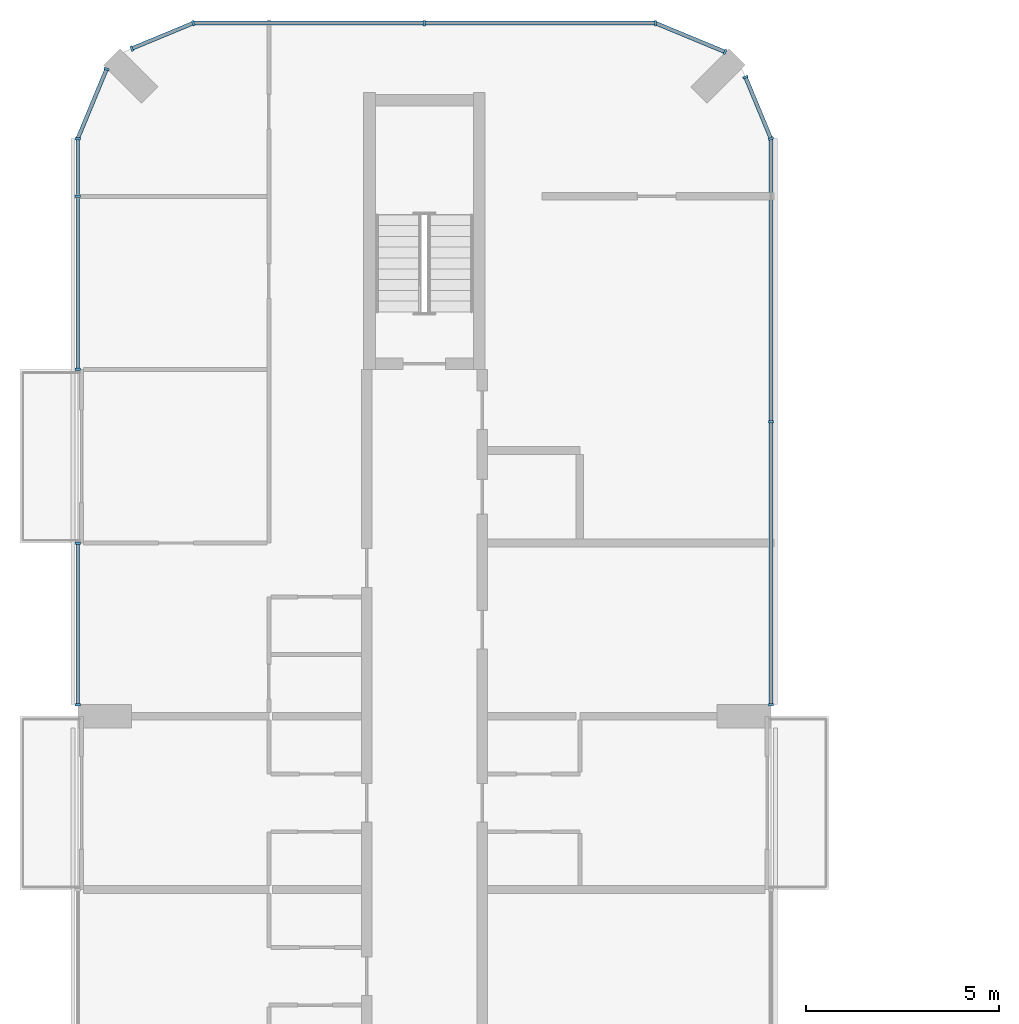
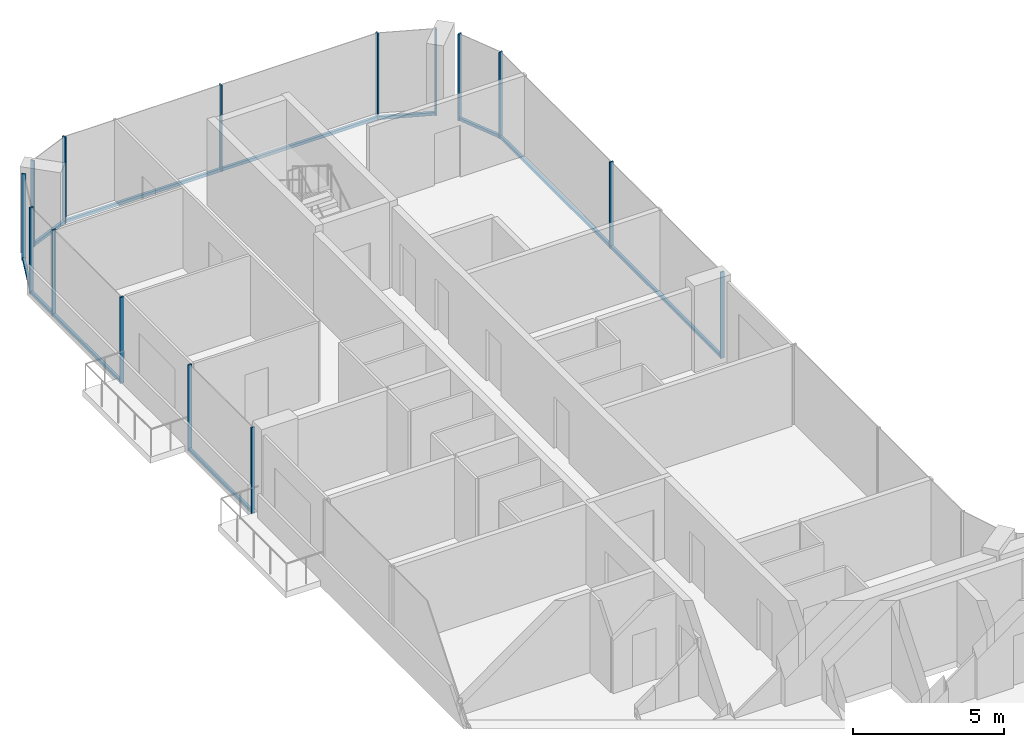
# One storey, part 7 of 15: 23 members, 8 elements without a shape of their own.
"""IFC4 building model written with IfcOpenShell, lengths in metres."""

from ifc_helpers import new_model, si_unit, direction, frame, origin, origin_2d, place, context, subcontext, project, spatial, rectangle, extrude, material, layer, layer_set, material_profile, profile_set, type_object, element, aggregate, save


model = new_model("IFC4")

# Units and contexts
model_context = context("Model", 3, precision=1e-05, world=origin(), true_north=direction((0.0, 1.0)))
body_context = subcontext(model_context, "Body", "Model", "MODEL_VIEW")
ifc_project = project(units=[si_unit("LENGTHUNIT", "METRE"), si_unit("AREAUNIT", "SQUARE_METRE"), si_unit("VOLUMEUNIT", "CUBIC_METRE"), si_unit("PLANEANGLEUNIT", "RADIAN"), si_unit("MASSUNIT", "GRAM", prefix="KILO")], contexts=[model_context])

# Site, building, storey
site_placement = place(None, origin())
site = spatial("IfcSite", under=ifc_project, at=site_placement, CompositionType="ELEMENT")
building_placement = place(site_placement, origin())
building = spatial("IfcBuilding", under=site, at=building_placement, Name="Plateau Cross Towers", CompositionType="ELEMENT")
storey_placement = place(building_placement, frame((0.0, 0.0, 197.89990234375)))
storey = spatial("IfcBuildingStorey", under=building, at=storey_placement, Name="L51", CompositionType="ELEMENT", Elevation=197.89990234375)

# Curtain wall, members
ifc_material_1 = material(Name="Dark low-iron glass", Category="glass")
ifc_layer = layer(ifc_material_1, 0.239990234375)
ifc_layer_set = layer_set([ifc_layer], Name="Dark low-iron glass")
curtain_wall_type = type_object("IfcCurtainWallType", Name="Curtain wall flush unitised CW-B", PredefinedType="NOTDEFINED", material=ifc_layer_set)
curtain_wall_1_placement = place(storey_placement, origin())
curtain_wall_1 = element("IfcCurtainWall", 1, at=curtain_wall_1_placement, inside=storey, type_object=curtain_wall_type, Name="ENV/A/L51/A180_363", PredefinedType="NOTDEFINED")
ifc_material_2 = material(Name="Black anodised aluminium", Category="aluminium")
ifc_material_profile_1 = material_profile(ifc_material_2, rectangle(XDim=0.06005859375, YDim=0.139892578125, at=origin_2d()), Name="MULLION 60x140")
ifc_profile_set_1 = profile_set([ifc_material_profile_1], Name="Black anodised aluminium")
member_type_1 = type_object("IfcMemberType", Name="Mullion 60x140 flush unitised", PredefinedType="MULLION", material=ifc_profile_set_1)
member_1_placement = place(storey_placement, frame((18.0, 36.300048828125, -0.25), z_axis=(0.0, 0.0, 1.0), x_axis=(0.0, 1.0, 0.0)))
member_1 = element("IfcMember", 2, at=member_1_placement, type_object=member_type_1, Name="CW-B mullion 1", PredefinedType="MULLION", context=body_context, shape_type="SweptSolid", body=[
    extrude(rectangle(XDim=0.06005859375, YDim=0.139892578125, at=origin_2d()), origin(), (0.0, 0.0, 1.0), 3.5),
])
member_2_placement = place(storey_placement, frame((18.0, 43.64990234375, -0.25), z_axis=(0.0, 0.0, 1.0), x_axis=(0.0, 1.0, 0.0)))
member_2 = element("IfcMember", 3, at=member_2_placement, type_object=member_type_1, Name="CW-B mullion 2", PredefinedType="MULLION", context=body_context, shape_type="SweptSolid", body=[
    extrude(rectangle(XDim=0.06005859375, YDim=0.139892578125, at=origin_2d()), origin(), (0.0, 0.0, 1.0), 3.5),
])

curtain_wall_2_placement = place(storey_placement, origin())
curtain_wall_2 = element("IfcCurtainWall", 4, at=curtain_wall_2_placement, inside=storey, type_object=curtain_wall_type, Name="ENV/A/L51/A180_510", PredefinedType="NOTDEFINED")
member_3_placement = place(storey_placement, frame((18.0, 51.0, -0.25), z_axis=(0.0, 0.0, 1.0), x_axis=(-0.382683612978, 0.923879457699, 0.0)))
member_3 = element("IfcMember", 5, at=member_3_placement, type_object=member_type_1, Name="CW-B mullion 1", PredefinedType="MULLION", context=body_context, shape_type="SweptSolid", body=[
    extrude(rectangle(XDim=0.06005859375, YDim=0.139892578125, at=origin_2d()), origin(), (0.0, 0.0, 1.0), 3.5),
])
member_4_placement = place(storey_placement, frame((17.338623046875, 52.5966796875, -0.25), z_axis=(0.0, 0.0, 1.0), x_axis=(-0.382683612978, 0.923879457699, 0.0)))
member_4 = element("IfcMember", 6, at=member_4_placement, type_object=member_type_1, Name="CW-B mullion 2", PredefinedType="MULLION", context=body_context, shape_type="SweptSolid", body=[
    extrude(rectangle(XDim=0.06005859375, YDim=0.139892578125, at=origin_2d()), origin(), (0.0, 0.0, 1.0), 3.5),
])

# Curtain wall, member
curtain_wall_3_placement = place(storey_placement, origin())
curtain_wall_3 = element("IfcCurtainWall", 7, at=curtain_wall_3_placement, inside=storey, type_object=curtain_wall_type, Name="ENV/A/L51/A168_533", PredefinedType="NOTDEFINED")
member_5_placement = place(storey_placement, frame((16.805908203125, 53.251953125, -0.25), z_axis=(0.0, 0.0, 1.0), x_axis=(-0.923879457699, 0.382683612978, 0.0)))
member_5 = element("IfcMember", 8, at=member_5_placement, type_object=member_type_1, Name="CW-B mullion 1", PredefinedType="MULLION", context=body_context, shape_type="SweptSolid", body=[
    extrude(rectangle(XDim=0.06005859375, YDim=0.139892578125, at=origin_2d()), origin(), (0.0, 0.0, 1.0), 3.5),
])

# Curtain wall, members
curtain_wall_4_placement = place(storey_placement, origin())
curtain_wall_4 = element("IfcCurtainWall", 9, at=curtain_wall_4_placement, inside=storey, type_object=curtain_wall_type, Name="ENV/A/L51/A150_540", PredefinedType="NOTDEFINED")
member_6_placement = place(storey_placement, frame((15.0, 54.0, -0.25), z_axis=(0.0, 0.0, 1.0), x_axis=(-1.0, 0.0, 0.0)))
member_6 = element("IfcMember", 10, at=member_6_placement, type_object=member_type_1, Name="CW-B mullion 1", PredefinedType="MULLION", context=body_context, shape_type="SweptSolid", body=[
    extrude(rectangle(XDim=0.06005859375, YDim=0.139892578125, at=origin_2d()), origin(), (0.0, 0.0, 1.0), 3.5),
])
member_7_placement = place(storey_placement, frame((9.0, 54.0, -0.25), z_axis=(0.0, 0.0, 1.0), x_axis=(-1.0, 0.0, 0.0)))
member_7 = element("IfcMember", 11, at=member_7_placement, type_object=member_type_1, Name="CW-B mullion 2", PredefinedType="MULLION", context=body_context, shape_type="SweptSolid", body=[
    extrude(rectangle(XDim=0.06005859375, YDim=0.139892578125, at=origin_2d()), origin(), (0.0, 0.0, 1.0), 3.5),
])

curtain_wall_5_placement = place(storey_placement, origin())
curtain_wall_5 = element("IfcCurtainWall", 12, at=curtain_wall_5_placement, inside=storey, type_object=curtain_wall_type, Name="ENV/A/L51/A30_540", PredefinedType="NOTDEFINED")
member_8_placement = place(storey_placement, frame((3.0, 54.0, -0.25), z_axis=(0.0, 0.0, 1.0), x_axis=(-0.923879457699, -0.382683612978, 0.0)))
member_8 = element("IfcMember", 13, at=member_8_placement, type_object=member_type_1, Name="CW-B mullion 1", PredefinedType="MULLION", context=body_context, shape_type="SweptSolid", body=[
    extrude(rectangle(XDim=0.06005859375, YDim=0.139892578125, at=origin_2d()), origin(), (0.0, 0.0, 1.0), 3.5),
])
member_9_placement = place(storey_placement, frame((1.4033203125, 53.338623046875, -0.25), z_axis=(0.0, 0.0, 1.0), x_axis=(-0.923879457699, -0.382683612978, 0.0)))
member_9 = element("IfcMember", 14, at=member_9_placement, type_object=member_type_1, Name="CW-B mullion 2", PredefinedType="MULLION", context=body_context, shape_type="SweptSolid", body=[
    extrude(rectangle(XDim=0.06005859375, YDim=0.139892578125, at=origin_2d()), origin(), (0.0, 0.0, 1.0), 3.5),
])

# Curtain wall, member
curtain_wall_6_placement = place(storey_placement, origin())
curtain_wall_6 = element("IfcCurtainWall", 15, at=curtain_wall_6_placement, inside=storey, type_object=curtain_wall_type, Name="ENV/A/L51/A7_528", PredefinedType="NOTDEFINED")
member_10_placement = place(storey_placement, frame((0.748046875, 52.805908203125, -0.25), z_axis=(0.0, 0.0, 1.0), x_axis=(-0.382683612978, -0.923879457699, 0.0)))
member_10 = element("IfcMember", 16, at=member_10_placement, type_object=member_type_1, Name="CW-B mullion 1", PredefinedType="MULLION", context=body_context, shape_type="SweptSolid", body=[
    extrude(rectangle(XDim=0.06005859375, YDim=0.139892578125, at=origin_2d()), origin(), (0.0, 0.0, 1.0), 3.5),
])

# Curtain wall, members
curtain_wall_7_placement = place(storey_placement, origin())
curtain_wall_7 = element("IfcCurtainWall", 17, at=curtain_wall_7_placement, inside=storey, type_object=curtain_wall_type, Name="ENV/A/L51/A0_510", PredefinedType="NOTDEFINED")
member_11_placement = place(storey_placement, frame((0.0, 51.0, -0.25), z_axis=(0.0, 0.0, 1.0), x_axis=(0.0, -1.0, 0.0)))
member_11 = element("IfcMember", 18, at=member_11_placement, type_object=member_type_1, Name="CW-B mullion 1", PredefinedType="MULLION", context=body_context, shape_type="SweptSolid", body=[
    extrude(rectangle(XDim=0.06005859375, YDim=0.139892578125, at=origin_2d()), origin(), (0.0, 0.0, 1.0), 3.5),
])
member_12_placement = place(storey_placement, frame((0.0, 49.5, -0.25), z_axis=(0.0, 0.0, 1.0), x_axis=(0.0, -1.0, 0.0)))
member_12 = element("IfcMember", 19, at=member_12_placement, type_object=member_type_1, Name="CW-B mullion 2", PredefinedType="MULLION", context=body_context, shape_type="SweptSolid", body=[
    extrude(rectangle(XDim=0.06005859375, YDim=0.139892578125, at=origin_2d()), origin(), (0.0, 0.0, 1.0), 3.5),
])
member_13_placement = place(storey_placement, frame((0.0, 45.010009765625, -0.25), z_axis=(0.0, 0.0, 1.0), x_axis=(0.0, -1.0, 0.0)))
member_13 = element("IfcMember", 20, at=member_13_placement, type_object=member_type_1, Name="CW-B mullion 3", PredefinedType="MULLION", context=body_context, shape_type="SweptSolid", body=[
    extrude(rectangle(XDim=0.06005859375, YDim=0.139892578125, at=origin_2d()), origin(), (0.0, 0.0, 1.0), 3.5),
])

curtain_wall_8_placement = place(storey_placement, origin())
curtain_wall_8 = element("IfcCurtainWall", 21, at=curtain_wall_8_placement, inside=storey, type_object=curtain_wall_type, Name="ENV/A/L51/A0_405", PredefinedType="NOTDEFINED")
member_14_placement = place(storey_placement, frame((0.0, 40.489990234375, -0.25), z_axis=(0.0, 0.0, 1.0), x_axis=(0.0, -1.0, 0.0)))
member_14 = element("IfcMember", 22, at=member_14_placement, type_object=member_type_1, Name="CW-B mullion 1", PredefinedType="MULLION", context=body_context, shape_type="SweptSolid", body=[
    extrude(rectangle(XDim=0.06005859375, YDim=0.139892578125, at=origin_2d()), origin(), (0.0, 0.0, 1.0), 3.5),
])
member_15_placement = place(storey_placement, frame((0.0, 36.300048828125, -0.25), z_axis=(0.0, 0.0, 1.0), x_axis=(0.0, -1.0, 0.0)))
member_15 = element("IfcMember", 23, at=member_15_placement, type_object=member_type_1, Name="CW-B mullion 2", PredefinedType="MULLION", context=body_context, shape_type="SweptSolid", body=[
    extrude(rectangle(XDim=0.06005859375, YDim=0.139892578125, at=origin_2d()), origin(), (0.0, 0.0, 1.0), 3.5),
])

# Member
ifc_material_profile_2 = material_profile(ifc_material_2, rectangle(XDim=0.10009765625, YDim=0.1201171875, at=origin_2d()), Name="TRANSOM 100x120")
ifc_profile_set_2 = profile_set([ifc_material_profile_2], Name="Black anodised aluminium")
member_type_2 = type_object("IfcMemberType", Name="Transom 100x120 flush unitised", PredefinedType="USERDEFINED", material=ifc_profile_set_2)
member_16_placement = place(storey_placement, frame((18.0, 36.300048828125, -0.18994140625), z_axis=(0.0, 1.0, 0.0), x_axis=(-1.0, 0.0, 0.0)))
member_16 = element("IfcMember", 24, at=member_16_placement, type_object=member_type_2, Name="CW-B transom", ObjectType="TRANSOM", PredefinedType="USERDEFINED", context=body_context, shape_type="SweptSolid", body=[
    extrude(rectangle(XDim=0.10009765625, YDim=0.1201171875, at=origin_2d()), origin(), (0.0, 0.0, 1.0), 14.699951171875),
])

aggregate(curtain_wall_1, [member_1, member_2, member_16])

member_17_placement = place(storey_placement, frame((18.0, 51.0, -0.18994140625), z_axis=(-0.382688653628, 0.923877369776, 0.0), x_axis=(-0.923877369776, -0.382688653628, 0.0)))
member_17 = element("IfcMember", 25, at=member_17_placement, type_object=member_type_2, Name="CW-B transom", ObjectType="TRANSOM", PredefinedType="USERDEFINED", context=body_context, shape_type="SweptSolid", body=[
    extrude(rectangle(XDim=0.10009765625, YDim=0.1201171875, at=origin_2d()), origin(), (0.0, 0.0, 1.0), 1.728271484375),
])

aggregate(curtain_wall_2, [member_3, member_4, member_17])

member_18_placement = place(storey_placement, frame((16.805908203125, 53.251953125, -0.18994140625), z_axis=(-0.92387678234, 0.382690071798, 0.0), x_axis=(-0.382690071798, -0.92387678234, 0.0)))
member_18 = element("IfcMember", 26, at=member_18_placement, type_object=member_type_2, Name="CW-B transom", ObjectType="TRANSOM", PredefinedType="USERDEFINED", context=body_context, shape_type="SweptSolid", body=[
    extrude(rectangle(XDim=0.10009765625, YDim=0.1201171875, at=origin_2d()), origin(), (0.0, 0.0, 1.0), 1.95458984375),
])

aggregate(curtain_wall_3, [member_5, member_18])

member_19_placement = place(storey_placement, frame((15.0, 54.0, -0.18994140625), z_axis=(-1.0, 0.0, 0.0), x_axis=(0.0, -1.0, 0.0)))
member_19 = element("IfcMember", 27, at=member_19_placement, type_object=member_type_2, Name="CW-B transom", ObjectType="TRANSOM", PredefinedType="USERDEFINED", context=body_context, shape_type="SweptSolid", body=[
    extrude(rectangle(XDim=0.10009765625, YDim=0.1201171875, at=origin_2d()), origin(), (0.0, 0.0, 1.0), 12.0),
])

aggregate(curtain_wall_4, [member_6, member_7, member_19])

member_20_placement = place(storey_placement, frame((3.0, 54.0, -0.18994140625), z_axis=(-0.923877369776, -0.382688653628, 0.0), x_axis=(0.382688653628, -0.923877369776, 0.0)))
member_20 = element("IfcMember", 28, at=member_20_placement, type_object=member_type_2, Name="CW-B transom", ObjectType="TRANSOM", PredefinedType="USERDEFINED", context=body_context, shape_type="SweptSolid", body=[
    extrude(rectangle(XDim=0.10009765625, YDim=0.1201171875, at=origin_2d()), origin(), (0.0, 0.0, 1.0), 1.728271484375),
])

aggregate(curtain_wall_5, [member_8, member_9, member_20])

member_21_placement = place(storey_placement, frame((0.748046875, 52.805908203125, -0.18994140625), z_axis=(-0.382690071798, -0.92387678234, 0.0), x_axis=(0.92387678234, -0.382690071798, 0.0)))
member_21 = element("IfcMember", 29, at=member_21_placement, type_object=member_type_2, Name="CW-B transom", ObjectType="TRANSOM", PredefinedType="USERDEFINED", context=body_context, shape_type="SweptSolid", body=[
    extrude(rectangle(XDim=0.10009765625, YDim=0.1201171875, at=origin_2d()), origin(), (0.0, 0.0, 1.0), 1.95458984375),
])

aggregate(curtain_wall_6, [member_10, member_21])

member_22_placement = place(storey_placement, frame((0.0, 51.0, -0.18994140625), z_axis=(0.0, -1.0, 0.0), x_axis=(1.0, 0.0, 0.0)))
member_22 = element("IfcMember", 30, at=member_22_placement, type_object=member_type_2, Name="CW-B transom", ObjectType="TRANSOM", PredefinedType="USERDEFINED", context=body_context, shape_type="SweptSolid", body=[
    extrude(rectangle(XDim=0.10009765625, YDim=0.1201171875, at=origin_2d()), origin(), (0.0, 0.0, 1.0), 5.989990234375),
])

aggregate(curtain_wall_7, [member_11, member_12, member_13, member_22])

member_23_placement = place(storey_placement, frame((0.0, 40.489990234375, -0.18994140625), z_axis=(0.0, -1.0, 0.0), x_axis=(1.0, 0.0, 0.0)))
member_23 = element("IfcMember", 31, at=member_23_placement, type_object=member_type_2, Name="CW-B transom", ObjectType="TRANSOM", PredefinedType="USERDEFINED", context=body_context, shape_type="SweptSolid", body=[
    extrude(rectangle(XDim=0.10009765625, YDim=0.1201171875, at=origin_2d()), origin(), (0.0, 0.0, 1.0), 4.18994140625),
])

aggregate(curtain_wall_8, [member_14, member_15, member_23])

save(model, "model.ifc")
